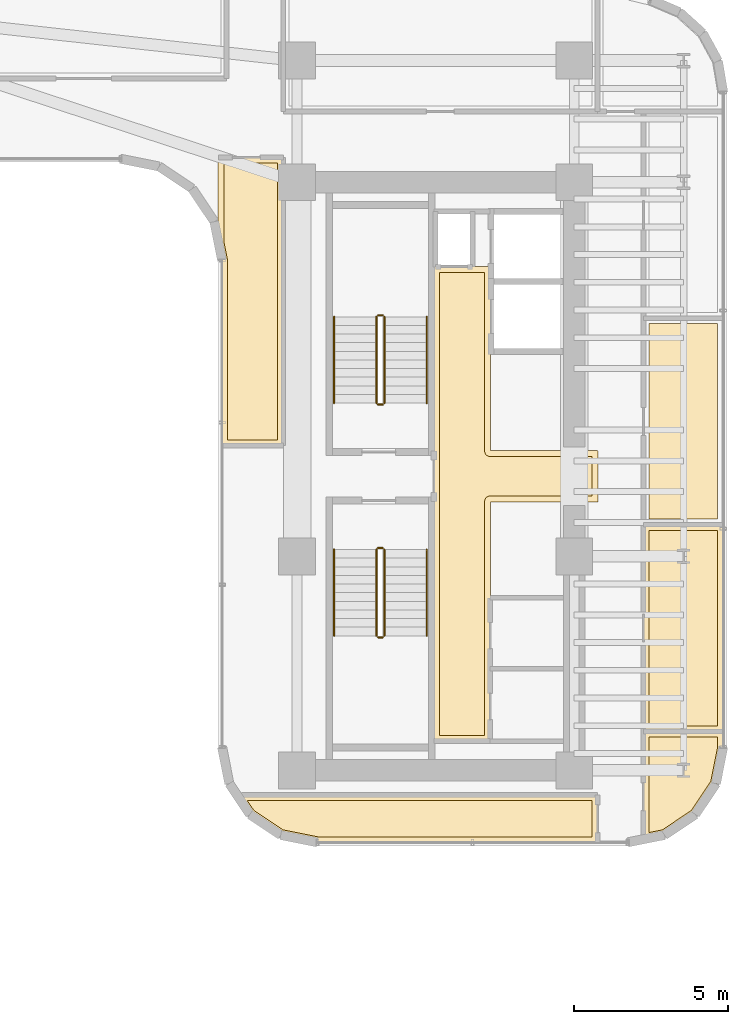
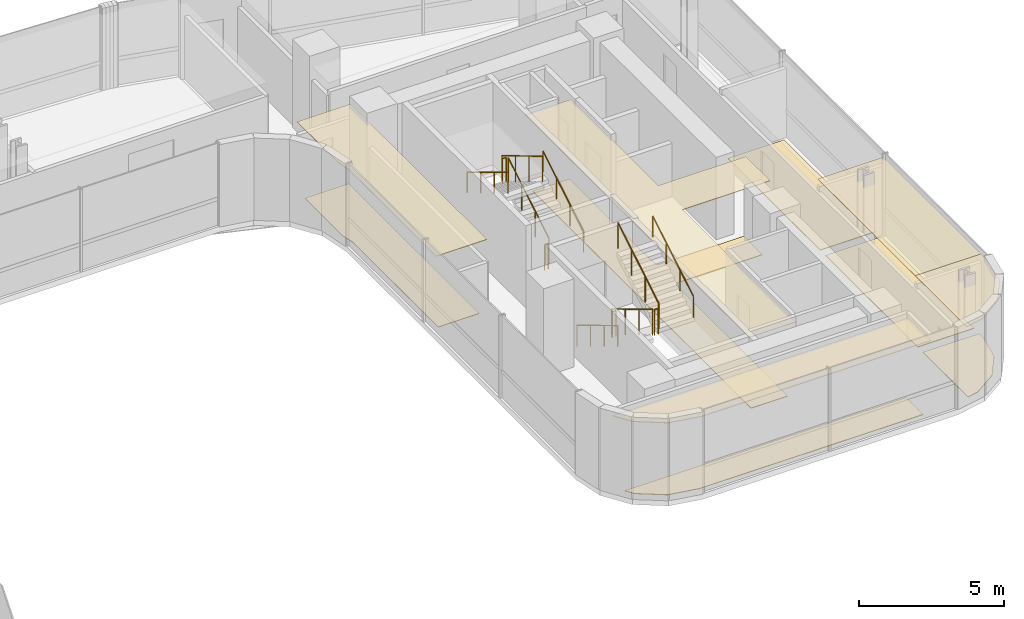
# One storey, part 33 of 35: 12 railings, 11 coverings.
"""IFC4 building model written with IfcOpenShell, lengths in metres."""

import ifcopenshell
import ifcopenshell.guid

model = None  # the IFC model being written
_history = None  # IfcOwnerHistory: only IFC2X3 demands one
_inside = {}  # id of a spatial element -> (the spatial element, [elements in it])
_under = {}  # id of a project, library or spatial element -> (it, [spatial elements below it])
_declared = {}  # id of a project -> (the project, [libraries it declares])
_typed = {}  # id of a type object -> (the type object, [elements of that type])
_made_of = {}  # id of a material, layer set ... -> (it, [elements and type objects made of it])


def new_model(schema):
    """Start an empty IFC model of exactly this schema.

    Asked for "IFC4X3", IfcOpenShell would pick the latest addendum, in which some entities
    have other attributes; the version numbers below select the first issue.
    IFC2X3 requires an IfcOwnerHistory on every rooted entity: one is made here for all.
    """
    global model, _history
    if schema == "IFC4X3":
        model = ifcopenshell.file(schema_version=(4, 3, 0, 0))
    else:
        model = ifcopenshell.file(schema=schema)
    _inside.clear()
    _under.clear()
    _declared.clear()
    _typed.clear()
    _made_of.clear()
    _history = None
    if model.schema == "IFC2X3":
        org = make("IfcOrganization", Name="unknown")
        user = make(
            "IfcPersonAndOrganization",
            ThePerson=make("IfcPerson", FamilyName="unknown"),
            TheOrganization=org,
        )
        app = make(
            "IfcApplication",
            ApplicationDeveloper=org,
            Version="unknown",
            ApplicationFullName="unknown",
            ApplicationIdentifier="unknown",
        )
        _history = make(
            "IfcOwnerHistory",
            OwningUser=user,
            OwningApplication=app,
            ChangeAction="ADDED",
            CreationDate=0,
        )
    return model


def make(cls, **values):
    """One entity of the class cls with the attributes given. An attribute that is None is left unset."""
    return model.create_entity(
        cls, **{name: value for name, value in values.items() if value is not None}
    )


def rooted(cls, **values):
    """An entity with a GlobalId (a new one), such as an element, a storey or a relation."""
    return make(cls, GlobalId=ifcopenshell.guid.new(), OwnerHistory=_history, **values)


def si_unit(unit_type, name, prefix=None):
    """IfcSIUnit, for example si_unit("LENGTHUNIT", "METRE", prefix="MILLI")."""
    return make("IfcSIUnit", UnitType=unit_type, Prefix=prefix, Name=name)


def assignment(units):
    """IfcUnitAssignment: the units of a project."""
    return None if units is None else make("IfcUnitAssignment", Units=units)


def point(xyz):
    """IfcCartesianPoint."""
    return None if xyz is None else make("IfcCartesianPoint", Coordinates=xyz)


def direction(xyz):
    """IfcDirection."""
    return None if xyz is None else make("IfcDirection", DirectionRatios=xyz)


def frame(location, z_axis=None, x_axis=None):
    """IfcAxis2Placement3D, a coordinate frame: its origin and axes. An axis left out is left unset."""
    return make(
        "IfcAxis2Placement3D",
        Location=point(location),
        Axis=direction(z_axis),
        RefDirection=direction(x_axis),
    )


def frame_2d(location, x_axis=None):
    """IfcAxis2Placement2D, a coordinate frame in the plane: its origin and x axis."""
    return make(
        "IfcAxis2Placement2D", Location=point(location), RefDirection=direction(x_axis)
    )


def origin():
    """The frame at (0, 0, 0) with its axes left unset."""
    return frame((0.0, 0.0, 0.0))


def origin_2d():
    """The frame at (0, 0) in the plane with its x axis left unset."""
    return frame_2d((0.0, 0.0))


def place(relative_to, where):
    """IfcLocalPlacement: puts the frame where relative to a parent placement (None: the world)."""
    return make(
        "IfcLocalPlacement", PlacementRelTo=relative_to, RelativePlacement=where
    )


def context(
    kind, dimensions, precision=None, world=None, true_north=None, identifier=None
):
    """IfcGeometricRepresentationContext, for example the 3D "Model" context."""
    return make(
        "IfcGeometricRepresentationContext",
        ContextIdentifier=identifier,
        ContextType=kind,
        CoordinateSpaceDimension=dimensions,
        Precision=precision,
        WorldCoordinateSystem=world,
        TrueNorth=true_north,
    )


def subcontext(parent, identifier, kind, view, scale=None):
    """IfcGeometricRepresentationSubContext, for example "Body" below "Model"."""
    return make(
        "IfcGeometricRepresentationSubContext",
        ContextIdentifier=identifier,
        ContextType=kind,
        ParentContext=parent,
        TargetScale=scale,
        TargetView=view,
    )


def project(units=None, contexts=None):
    """IfcProject with its units and contexts."""
    return rooted(
        "IfcProject",
        Name="project",
        RepresentationContexts=contexts,
        UnitsInContext=assignment(units),
    )


def spatial(cls, under=None, at=None, **own):
    """A site, building, storey or space (cls), placed at a placement, below another one or the project."""
    s = rooted(cls, ObjectPlacement=at, **own)
    if under is not None:
        _under.setdefault(under.id(), (under, []))[1].append(s)
    return s


def polyline(points):
    """IfcPolyline through the points."""
    return make("IfcPolyline", Points=[point(p) for p in points])


def profile(cls, at=None, kind="AREA", **sizes):
    """A parametric profile (cls). Its sizes go by their IFC names, for example OverallWidth=200.0."""
    return make(cls, ProfileType=kind, Position=at, **sizes)


def circle(**sizes):
    """IfcCircleProfileDef."""
    return profile("IfcCircleProfileDef", **sizes)


def outline(outer, holes=None, kind="AREA"):
    """IfcArbitraryClosedProfileDef: a profile drawn as a closed curve; with holes, ...WithVoids."""
    if holes is None:
        return make("IfcArbitraryClosedProfileDef", ProfileType=kind, OuterCurve=outer)
    return make(
        "IfcArbitraryProfileDefWithVoids",
        ProfileType=kind,
        OuterCurve=outer,
        InnerCurves=holes,
    )


def extrude(swept, where, along, depth):
    """IfcExtrudedAreaSolid: the profile swept, set in the frame where, extruded along a direction by depth."""
    return make(
        "IfcExtrudedAreaSolid",
        SweptArea=swept,
        Position=where,
        ExtrudedDirection=direction(along),
        Depth=depth,
    )


def shape(context_of_items, identifier, shape_type, items):
    """IfcShapeRepresentation: the items that make up one representation, for example the "Body"."""
    return make(
        "IfcShapeRepresentation",
        ContextOfItems=context_of_items,
        RepresentationIdentifier=identifier,
        RepresentationType=shape_type,
        Items=items,
    )


def material(Name=None, Category=None):
    """IfcMaterial."""
    return make("IfcMaterial", Name=Name, Category=Category)


def layer(
    of_material, thickness, ventilated=None, Name=None, Category=None, Priority=None
):
    """IfcMaterialLayer: one layer of a wall or slab, of a material (None: an air gap)."""
    return make(
        "IfcMaterialLayer",
        Material=of_material,
        LayerThickness=thickness,
        IsVentilated=ventilated,
        Name=Name,
        Category=Category,
        Priority=Priority,
    )


def layer_set(layers, Name=None):
    """IfcMaterialLayerSet."""
    return make("IfcMaterialLayerSet", MaterialLayers=layers, LayerSetName=Name)


def made_of(thing, what):
    """Note that an element or type object is made of a material, layer set ...; save() writes the relation."""
    if what is not None:
        _made_of.setdefault(what.id(), (what, []))[1].append(thing)
    return thing


def type_object(cls, material=None, **own):
    """A type object (cls), such as IfcWallType, which elements share."""
    return made_of(rooted(cls, **own), material)


def element(
    cls,
    number,
    at=None,
    inside=None,
    cuts=None,
    type_object=None,
    material=None,
    context=None,
    identifier="Body",
    shape_type=None,
    held_by="IfcProductDefinitionShape",
    body=None,
    shapes=None,
    **own,
):
    """One element of the class cls, such as IfcWall. Its Tag is "e" and its number.

    at: its placement. inside: the storey or other place that contains it. cuts: it is an
    opening in that element (IfcRelVoidsElement). A single representation is given by context,
    identifier, shape_type and body (its items); several are given by shapes. held_by: the class
    of the entity that holds the representations. save() writes the other relations.
    """
    e = rooted(cls, Tag="e%d" % number, ObjectPlacement=at, **own)
    if body is not None:
        shapes = [shape(context, identifier, shape_type, body)]
    if shapes is not None:
        e.Representation = make(held_by, Representations=shapes)
    if inside is not None:
        _inside.setdefault(inside.id(), (inside, []))[1].append(e)
    if cuts is not None:
        rooted(
            "IfcRelVoidsElement", RelatingBuildingElement=cuts, RelatedOpeningElement=e
        )
    if type_object is not None:
        _typed.setdefault(type_object.id(), (type_object, []))[1].append(e)
    return made_of(e, material)


def aggregate(whole, parts):
    """IfcRelAggregates: a whole, such as a stair, and the parts it consists of."""
    return rooted("IfcRelAggregates", RelatingObject=whole, RelatedObjects=parts)


def save(model, path):
    """Write the relations noted so far, then the file.

    IfcRelAggregates (storeys below a building ...), IfcRelContainedInSpatialStructure (elements
    in a storey), IfcRelDefinesByType, IfcRelAssociatesMaterial and IfcRelDeclares: one each for
    every whole, place, type object, material and project.
    """
    for whole, parts in _under.values():
        aggregate(whole, parts)
    for where, things in _inside.values():
        rooted(
            "IfcRelContainedInSpatialStructure",
            RelatedElements=things,
            RelatingStructure=where,
        )
    for kind, things in _typed.values():
        rooted("IfcRelDefinesByType", RelatedObjects=things, RelatingType=kind)
    for what, things in _made_of.values():
        rooted("IfcRelAssociatesMaterial", RelatedObjects=things, RelatingMaterial=what)
    for by, libraries in _declared.values():
        rooted("IfcRelDeclares", RelatingContext=by, RelatedDefinitions=libraries)
    model.write(path)


model = new_model("IFC4")

# Units and contexts
model_context = context("Model", 3, precision=1e-05, world=origin(), true_north=direction((0.0, 1.0)))
body_context = subcontext(model_context, "Body", "Model", "MODEL_VIEW")
ifc_project = project(units=[si_unit("LENGTHUNIT", "METRE"), si_unit("AREAUNIT", "SQUARE_METRE"), si_unit("VOLUMEUNIT", "CUBIC_METRE"), si_unit("PLANEANGLEUNIT", "RADIAN"), si_unit("MASSUNIT", "GRAM", prefix="KILO")], contexts=[model_context])

# Site, building, storey
site_placement = place(None, origin())
site = spatial("IfcSite", under=ifc_project, at=site_placement, CompositionType="ELEMENT")
building_placement = place(site_placement, origin())
building = spatial("IfcBuilding", under=site, at=building_placement, Name="Valdorenza Pilgrim Sanctuary Tower", CompositionType="ELEMENT")
storey_placement = place(building_placement, frame((0.0, 0.0, 139.0)))
storey = spatial("IfcBuildingStorey", under=building, at=storey_placement, Name="L35", CompositionType="ELEMENT", Elevation=139.0)

# Coverings
ifc_material_1 = material(Name="Micro-perforated acoustic mineral ceiling tile", Category="gypsum")
ifc_layer_1 = layer(ifc_material_1, 0.02490234375, Name="Micro-perforated acoustic mineral ceiling tile")
ifc_layer_set_1 = layer_set([ifc_layer_1], Name="Micro-perforated acoustic mineral ceiling tile")
covering_type_1 = type_object("IfcCoveringType", Name="COV-CLG-ACU", PredefinedType="CEILING", material=ifc_layer_set_1)
covering_1_placement = place(storey_placement, frame((0.0, 0.0, 3.159912109375)))
element("IfcCovering", 1, at=covering_1_placement, inside=storey, type_object=covering_type_1, Name="L35 Core B Passenger Lift Lobby Acoustic Ceiling", PredefinedType="CEILING", context=body_context, shape_type="SweptSolid", body=[
    extrude(outline(polyline([(20.287109375, -0.814697265625), (20.287109375, 0.814697265625), (20.28662109375, 0.815185546875), (20.2861328125, 0.81640625), (20.28564453125, 0.81787109375), (20.285400390625, 0.819091796875), (20.28515625, 0.820556640625), (20.284912109375, 0.822021484375), (20.284912109375, 6.800048828125), (20.28515625, 6.801513671875), (20.285400390625, 6.802978515625), (20.28564453125, 6.804443359375), (20.2861328125, 6.8056640625), (20.286865234375, 6.80712890625), (20.28759765625, 6.808349609375), (20.288330078125, 6.8095703125), (20.289306640625, 6.810546875), (20.29052734375, 6.8115234375), (20.291748046875, 6.8125), (20.29296875, 6.813232421875), (20.294189453125, 6.81396484375), (20.295654296875, 6.814453125), (20.297119140625, 6.814697265625), (20.298583984375, 6.81494140625), (20.300048828125, 6.81494140625), (20.347900390625, 6.81494140625), (20.349365234375, 6.81494140625), (20.350830078125, 6.814697265625), (20.352294921875, 6.814453125), (20.353515625, 6.81396484375), (20.35498046875, 6.813232421875), (20.35546875, 6.81298828125), (21.544677734375, 6.81298828125), (21.545166015625, 6.813232421875), (21.54638671875, 6.81396484375), (21.5478515625, 6.814453125), (21.54931640625, 6.814697265625), (21.550537109375, 6.81494140625), (21.552001953125, 6.81494140625), (22.1201171875, 6.81494140625), (22.12158203125, 6.81494140625), (22.122802734375, 6.814697265625), (22.12451171875, 6.814453125), (22.125732421875, 6.81396484375), (22.127197265625, 6.813232421875), (22.12841796875, 6.8125), (22.12939453125, 6.8115234375), (22.130615234375, 6.810546875), (22.131591796875, 6.8095703125), (22.132568359375, 6.808349609375), (22.13330078125, 6.80712890625), (22.1337890625, 6.8056640625), (22.134521484375, 6.804443359375), (22.134765625, 6.802978515625), (22.135009765625, 6.801513671875), (22.135009765625, 6.800048828125), (22.135009765625, 0.8349609375), (25.60009765625, 0.8349609375), (25.6015625, 0.8349609375), (25.602783203125, 0.834716796875), (25.6044921875, 0.83447265625), (25.605712890625, 0.833984375), (25.607177734375, 0.833251953125), (25.6083984375, 0.83251953125), (25.609619140625, 0.83154296875), (25.610595703125, 0.83056640625), (25.611572265625, 0.82958984375), (25.612548828125, 0.828369140625), (25.61328125, 0.8271484375), (25.614013671875, 0.82568359375), (25.614501953125, 0.824462890625), (25.61474609375, 0.822998046875), (25.614990234375, 0.821533203125), (25.614990234375, 0.820068359375), (25.614990234375, -0.820068359375), (25.614990234375, -0.821533203125), (25.61474609375, -0.822998046875), (25.614501953125, -0.824462890625), (25.614013671875, -0.82568359375), (25.61328125, -0.8271484375), (25.612548828125, -0.828369140625), (25.611572265625, -0.82958984375), (25.610595703125, -0.83056640625), (25.609619140625, -0.83154296875), (25.6083984375, -0.83251953125), (25.607177734375, -0.833251953125), (25.605712890625, -0.833984375), (25.6044921875, -0.83447265625), (25.602783203125, -0.834716796875), (25.6015625, -0.8349609375), (25.60009765625, -0.8349609375), (22.135009765625, -0.8349609375), (22.135009765625, -8.60009765625), (22.135009765625, -8.6015625), (22.134765625, -8.602783203125), (22.134521484375, -8.6044921875), (22.1337890625, -8.605712890625), (22.13330078125, -8.607177734375), (22.132568359375, -8.6083984375), (22.131591796875, -8.609619140625), (22.130615234375, -8.610595703125), (22.12939453125, -8.611572265625), (22.12841796875, -8.612548828125), (22.127197265625, -8.61328125), (22.125732421875, -8.614013671875), (22.12451171875, -8.614501953125), (22.122802734375, -8.61474609375), (22.12158203125, -8.614990234375), (22.1201171875, -8.614990234375), (20.300048828125, -8.614990234375), (20.298583984375, -8.614990234375), (20.297119140625, -8.61474609375), (20.295654296875, -8.614501953125), (20.294189453125, -8.614013671875), (20.29296875, -8.61328125), (20.291748046875, -8.612548828125), (20.29052734375, -8.611572265625), (20.289306640625, -8.610595703125), (20.288330078125, -8.609619140625), (20.28759765625, -8.6083984375), (20.286865234375, -8.607177734375), (20.2861328125, -8.605712890625), (20.28564453125, -8.6044921875), (20.285400390625, -8.602783203125), (20.28515625, -8.6015625), (20.284912109375, -8.60009765625), (20.284912109375, -0.822021484375), (20.28515625, -0.820556640625), (20.285400390625, -0.819091796875), (20.28564453125, -0.81787109375), (20.2861328125, -0.81640625), (20.28662109375, -0.815185546875), (20.287109375, -0.814697265625)])), origin(), (0.0, 0.0, 1.0), 0.025146484375),
])
covering_2_placement = place(storey_placement, frame((0.0, 0.0, 3.159912109375)))
element("IfcCovering", 2, at=covering_2_placement, inside=storey, type_object=covering_type_1, Name="L35 Sacred Manuscript Archive L35-BS Acoustic Ceiling", PredefinedType="CEILING", context=body_context, shape_type="SweptSolid", body=[
    extrude(outline(polyline([(25.614990234375, -11.889892578125), (25.614990234375, -11.8916015625), (25.61474609375, -11.892822265625), (25.614501953125, -11.894287109375), (25.614013671875, -11.895751953125), (25.61328125, -11.897216796875), (25.612548828125, -11.898193359375), (25.611572265625, -11.8994140625), (25.610595703125, -11.900634765625), (25.609619140625, -11.901611328125), (25.6083984375, -11.902587890625), (25.607177734375, -11.9033203125), (25.605712890625, -11.90380859375), (25.6044921875, -11.904296875), (25.602783203125, -11.90478515625), (25.6015625, -11.90478515625), (25.60009765625, -11.905029296875), (16.5107421875, -11.905029296875), (16.509521484375, -11.90478515625), (16.5078125, -11.90478515625), (15.3154296875, -11.66748046875), (15.31396484375, -11.6669921875), (15.3125, -11.66650390625), (15.311279296875, -11.666015625), (15.31005859375, -11.665283203125), (14.308349609375, -10.995849609375), (14.30712890625, -10.9951171875), (14.305908203125, -10.993896484375), (14.304931640625, -10.992919921875), (14.30419921875, -10.99169921875), (13.880859375, -10.3583984375), (13.880126953125, -10.357177734375), (13.87939453125, -10.355712890625), (13.87890625, -10.3544921875), (13.878662109375, -10.352783203125), (13.87841796875, -10.3515625), (13.87841796875, -10.35009765625), (13.87841796875, -10.348388671875), (13.878662109375, -10.34716796875), (13.87890625, -10.345703125), (13.87939453125, -10.34423828125), (13.880126953125, -10.343017578125), (13.880859375, -10.341796875), (13.881591796875, -10.340576171875), (13.8828125, -10.33935546875), (13.8837890625, -10.33837890625), (13.885009765625, -10.33740234375), (13.88623046875, -10.3369140625), (13.8876953125, -10.336181640625), (13.888916015625, -10.335693359375), (13.890380859375, -10.335205078125), (13.891845703125, -10.335205078125), (13.893310546875, -10.3349609375), (25.60009765625, -10.3349609375), (25.6015625, -10.335205078125), (25.602783203125, -10.335205078125), (25.6044921875, -10.335693359375), (25.605712890625, -10.336181640625), (25.607177734375, -10.3369140625), (25.6083984375, -10.33740234375), (25.609619140625, -10.33837890625), (25.610595703125, -10.33935546875), (25.611572265625, -10.340576171875), (25.612548828125, -10.341796875), (25.61328125, -10.343017578125), (25.614013671875, -10.34423828125), (25.614501953125, -10.345703125), (25.61474609375, -10.34716796875), (25.614990234375, -10.348388671875), (25.614990234375, -10.35009765625), (25.614990234375, -11.889892578125)])), origin(), (0.0, 0.0, 1.0), 0.025146484375),
])
covering_3_placement = place(storey_placement, frame((0.0, 0.0, 3.159912109375)))
element("IfcCovering", 3, at=covering_3_placement, inside=storey, type_object=covering_type_1, Name="L35 East Sanctuary Scholar Office L35-EG1 Acoustic Ceiling", PredefinedType="CEILING", context=body_context, shape_type="SweptSolid", body=[
    extrude(outline(polyline([(29.467529296875, -9.984619140625), (29.467041015625, -9.986083984375), (29.466552734375, -9.9873046875), (29.466064453125, -9.98876953125), (29.46533203125, -9.989990234375), (28.7958984375, -10.99169921875), (28.794921875, -10.992919921875), (28.7939453125, -10.993896484375), (28.79296875, -10.9951171875), (28.791748046875, -10.995849609375), (27.7900390625, -11.665283203125), (27.788818359375, -11.666015625), (27.787353515625, -11.66650390625), (27.785888671875, -11.6669921875), (27.78466796875, -11.66748046875), (27.102783203125, -11.802978515625), (27.1015625, -11.80322265625), (27.10009765625, -11.803466796875), (27.098388671875, -11.80322265625), (27.09716796875, -11.802978515625), (27.095703125, -11.802734375), (27.09423828125, -11.80224609375), (27.093017578125, -11.801513671875), (27.091796875, -11.80078125), (27.090576171875, -11.800048828125), (27.08935546875, -11.799072265625), (27.08837890625, -11.7978515625), (27.08740234375, -11.796630859375), (27.0869140625, -11.79541015625), (27.086181640625, -11.794189453125), (27.085693359375, -11.792724609375), (27.085205078125, -11.791259765625), (27.085205078125, -11.789794921875), (27.0849609375, -11.788330078125), (27.0849609375, -8.287109375), (27.085205078125, -8.285400390625), (27.085205078125, -8.2841796875), (27.085693359375, -8.28271484375), (27.086181640625, -8.28125), (27.0869140625, -8.27978515625), (27.08740234375, -8.27880859375), (27.08837890625, -8.277587890625), (27.08935546875, -8.2763671875), (27.090576171875, -8.275390625), (27.091796875, -8.2744140625), (27.093017578125, -8.273681640625), (27.09423828125, -8.273193359375), (27.095703125, -8.272705078125), (27.09716796875, -8.272216796875), (27.098388671875, -8.272216796875), (27.10009765625, -8.27197265625), (29.68994140625, -8.27197265625), (29.69140625, -8.272216796875), (29.69287109375, -8.272216796875), (29.6943359375, -8.272705078125), (29.69580078125, -8.273193359375), (29.697021484375, -8.273681640625), (29.6982421875, -8.2744140625), (29.699462890625, -8.275390625), (29.70068359375, -8.2763671875), (29.70166015625, -8.277587890625), (29.702392578125, -8.27880859375), (29.703125, -8.27978515625), (29.703857421875, -8.28125), (29.704345703125, -8.28271484375), (29.70458984375, -8.2841796875), (29.704833984375, -8.285400390625), (29.705078125, -8.287109375), (29.705078125, -8.789306640625), (29.704833984375, -8.79052734375), (29.70458984375, -8.7919921875), (29.467529296875, -9.984619140625)])), origin(), (0.0, 0.0, 1.0), 0.025146484375),
])
covering_4_placement = place(storey_placement, frame((0.0, 0.0, 3.159912109375)))
element("IfcCovering", 4, at=covering_4_placement, inside=storey, type_object=covering_type_1, Name="L35 East Sanctuary Scholar Office L35-EG2 Acoustic Ceiling", PredefinedType="CEILING", context=body_context, shape_type="SweptSolid", body=[
    extrude(outline(polyline([(27.0849609375, -1.574951171875), (27.085205078125, -1.573486328125), (27.085205078125, -1.572021484375), (27.085693359375, -1.570556640625), (27.086181640625, -1.5693359375), (27.0869140625, -1.56787109375), (27.08740234375, -1.566650390625), (27.08837890625, -1.5654296875), (27.08935546875, -1.564453125), (27.090576171875, -1.5634765625), (27.091796875, -1.5625), (27.093017578125, -1.561767578125), (27.09423828125, -1.56103515625), (27.095703125, -1.560546875), (27.09716796875, -1.560302734375), (27.098388671875, -1.56005859375), (27.10009765625, -1.56005859375), (29.68994140625, -1.56005859375), (29.69140625, -1.56005859375), (29.69287109375, -1.560302734375), (29.6943359375, -1.560546875), (29.69580078125, -1.56103515625), (29.697021484375, -1.561767578125), (29.6982421875, -1.5625), (29.699462890625, -1.5634765625), (29.70068359375, -1.564453125), (29.70166015625, -1.5654296875), (29.702392578125, -1.566650390625), (29.703125, -1.56787109375), (29.703857421875, -1.5693359375), (29.704345703125, -1.570556640625), (29.70458984375, -1.572021484375), (29.704833984375, -1.573486328125), (29.705078125, -1.574951171875), (29.705078125, -8.284912109375), (29.704833984375, -8.28662109375), (29.70458984375, -8.287841796875), (29.704345703125, -8.289306640625), (29.703857421875, -8.290771484375), (29.703125, -8.2919921875), (29.702392578125, -8.293212890625), (29.70166015625, -8.29443359375), (29.70068359375, -8.295654296875), (29.699462890625, -8.296630859375), (29.6982421875, -8.297607421875), (29.697021484375, -8.298095703125), (29.69580078125, -8.298828125), (29.6943359375, -8.29931640625), (29.69287109375, -8.2998046875), (29.69140625, -8.2998046875), (29.68994140625, -8.300048828125), (27.10009765625, -8.300048828125), (27.098388671875, -8.2998046875), (27.09716796875, -8.2998046875), (27.095703125, -8.29931640625), (27.09423828125, -8.298828125), (27.093017578125, -8.298095703125), (27.091796875, -8.297607421875), (27.090576171875, -8.296630859375), (27.08935546875, -8.295654296875), (27.08837890625, -8.29443359375), (27.08740234375, -8.293212890625), (27.0869140625, -8.2919921875), (27.086181640625, -8.290771484375), (27.085693359375, -8.289306640625), (27.085205078125, -8.287841796875), (27.085205078125, -8.28662109375), (27.0849609375, -8.284912109375), (27.0849609375, -1.574951171875)])), origin(), (0.0, 0.0, 1.0), 0.025146484375),
])
covering_5_placement = place(storey_placement, frame((0.0, 0.0, 3.159912109375)))
element("IfcCovering", 5, at=covering_5_placement, inside=storey, type_object=covering_type_1, Name="L35 Courtyard Overlook Salon L35 Acoustic Ceiling", PredefinedType="CEILING", context=body_context, shape_type="SweptSolid", body=[
    extrude(outline(polyline([(15.39990234375, 10.364990234375), (15.401611328125, 10.364990234375), (15.40283203125, 10.36474609375), (15.404296875, 10.364501953125), (15.40576171875, 10.364013671875), (15.406982421875, 10.36328125), (15.408203125, 10.362548828125), (15.409423828125, 10.361572265625), (15.41064453125, 10.360595703125), (15.41162109375, 10.359619140625), (15.41259765625, 10.3583984375), (15.4130859375, 10.357177734375), (15.413818359375, 10.355712890625), (15.414306640625, 10.3544921875), (15.414794921875, 10.352783203125), (15.414794921875, 10.3515625), (15.4150390625, 10.35009765625), (15.4150390625, 1.0), (15.414794921875, 0.99853515625), (15.414794921875, 0.9970703125), (15.414306640625, 0.99560546875), (15.413818359375, 0.994384765625), (15.4130859375, 0.992919921875), (15.41259765625, 0.99169921875), (15.41162109375, 0.990478515625), (15.41064453125, 0.989501953125), (15.409423828125, 0.98828125), (15.408203125, 0.987548828125), (15.406982421875, 0.98681640625), (15.40576171875, 0.986083984375), (15.404296875, 0.985595703125), (15.40283203125, 0.9853515625), (15.401611328125, 0.985107421875), (15.39990234375, 0.985107421875), (13.409912109375, 0.985107421875), (13.408447265625, 0.985107421875), (13.406982421875, 0.9853515625), (13.405517578125, 0.985595703125), (13.404296875, 0.986083984375), (13.40283203125, 0.98681640625), (13.401611328125, 0.987548828125), (13.400390625, 0.98828125), (13.3994140625, 0.989501953125), (13.3984375, 0.990478515625), (13.3974609375, 0.99169921875), (13.396728515625, 0.992919921875), (13.39599609375, 0.994384765625), (13.3955078125, 0.99560546875), (13.395263671875, 0.9970703125), (13.39501953125, 0.99853515625), (13.39501953125, 1.0), (13.39501953125, 6.99951171875), (13.39453125, 7.00927734375), (13.39306640625, 7.018798828125), (13.285400390625, 7.560791015625), (13.28515625, 7.562255859375), (13.284912109375, 7.563720703125), (13.284912109375, 10.35009765625), (13.28515625, 10.3515625), (13.285400390625, 10.352783203125), (13.28564453125, 10.3544921875), (13.2861328125, 10.355712890625), (13.286865234375, 10.357177734375), (13.28759765625, 10.3583984375), (13.288330078125, 10.359619140625), (13.289306640625, 10.360595703125), (13.29052734375, 10.361572265625), (13.291748046875, 10.362548828125), (13.29296875, 10.36328125), (13.294189453125, 10.364013671875), (13.295654296875, 10.364501953125), (13.297119140625, 10.36474609375), (13.298583984375, 10.364990234375), (13.300048828125, 10.364990234375), (15.39990234375, 10.364990234375)])), origin(), (0.0, 0.0, 1.0), 0.025146484375),
])
ifc_material_2 = material(Name="Honed travertine stone flooring", Category="masonry")
ifc_layer_2 = layer(ifc_material_2, 0.030029296875, Name="Honed travertine stone flooring")
ifc_layer_set_2 = layer_set([ifc_layer_2], Name="Honed travertine stone flooring")
covering_type_2 = type_object("IfcCoveringType", Name="COV-FLR-TRV", PredefinedType="FLOORING", material=ifc_layer_set_2)
covering_6_placement = place(storey_placement, origin())
element("IfcCovering", 6, at=covering_6_placement, inside=storey, type_object=covering_type_2, Name="L35 Core B Passenger Lift Lobby Flooring", PredefinedType="FLOORING", context=body_context, shape_type="SweptSolid", body=[
    extrude(outline(polyline([(20.47998046875, 6.617919921875), (21.550048828125, 6.617919921875), (21.550537109375, 6.617919921875), (21.93994140625, 6.619384765625), (21.93994140625, 0.820068359375), (21.94091796875, 0.802490234375), (21.943603515625, 0.784912109375), (21.94775390625, 0.767578125), (21.95361328125, 0.751220703125), (21.961181640625, 0.735107421875), (21.97021484375, 0.719970703125), (21.98095703125, 0.705810546875), (21.99267578125, 0.692626953125), (22.005859375, 0.680908203125), (22.02001953125, 0.67041015625), (22.03515625, 0.661376953125), (22.051025390625, 0.65380859375), (22.067626953125, 0.647705078125), (22.0849609375, 0.6435546875), (22.102294921875, 0.640869140625), (22.1201171875, 0.639892578125), (25.419921875, 0.639892578125), (25.419921875, -0.639892578125), (22.1201171875, -0.639892578125), (22.102294921875, -0.640869140625), (22.0849609375, -0.6435546875), (22.067626953125, -0.647705078125), (22.051025390625, -0.65380859375), (22.03515625, -0.661376953125), (22.02001953125, -0.67041015625), (22.005859375, -0.680908203125), (21.99267578125, -0.692626953125), (21.98095703125, -0.705810546875), (21.97021484375, -0.719970703125), (21.961181640625, -0.735107421875), (21.95361328125, -0.751220703125), (21.94775390625, -0.767578125), (21.943603515625, -0.784912109375), (21.94091796875, -0.802490234375), (21.93994140625, -0.820068359375), (21.93994140625, -8.419921875), (20.47998046875, -8.419921875), (20.47998046875, -0.846923828125), (20.47998046875, -0.8466796875), (20.47998046875, -0.8466796875), (20.481689453125, -0.8291015625), (20.481689453125, -0.828857421875), (20.48193359375, -0.820068359375), (20.48193359375, 0.820068359375), (20.47998046875, 6.617919921875)])), origin(), (0.0, 0.0, 1.0), 0.02490234375),
])
covering_7_placement = place(storey_placement, origin())
element("IfcCovering", 7, at=covering_7_placement, inside=storey, type_object=covering_type_2, Name="L35 Sacred Manuscript Archive L35-BS Flooring", PredefinedType="FLOORING", context=body_context, shape_type="SweptSolid", body=[
    extrude(outline(polyline([(25.419921875, -11.7099609375), (16.528564453125, -11.7099609375), (15.388671875, -11.483154296875), (14.4462890625, -10.853515625), (14.22998046875, -10.530029296875), (25.419921875, -10.530029296875), (25.419921875, -11.7099609375)])), origin(), (0.0, 0.0, 1.0), 0.02490234375),
])
covering_8_placement = place(storey_placement, origin())
element("IfcCovering", 8, at=covering_8_placement, inside=storey, type_object=covering_type_2, Name="L35 East Sanctuary Scholar Office L35-EG1 Flooring", PredefinedType="FLOORING", context=body_context, shape_type="SweptSolid", body=[
    extrude(outline(polyline([(29.283203125, -9.911376953125), (28.653564453125, -10.853515625), (27.71142578125, -11.483154296875), (27.280029296875, -11.569091796875), (27.280029296875, -8.467041015625), (29.510009765625, -8.467041015625), (29.510009765625, -8.771484375), (29.283203125, -9.911376953125)])), origin(), (0.0, 0.0, 1.0), 0.02490234375),
])
covering_9_placement = place(storey_placement, origin())
element("IfcCovering", 9, at=covering_9_placement, inside=storey, type_object=covering_type_2, Name="L35 East Sanctuary Scholar Office L35-EG2 Flooring", PredefinedType="FLOORING", context=body_context, shape_type="SweptSolid", body=[
    extrude(outline(polyline([(27.280029296875, -1.7548828125), (29.510009765625, -1.7548828125), (29.510009765625, -8.10498046875), (27.280029296875, -8.10498046875), (27.280029296875, -1.7548828125)])), origin(), (0.0, 0.0, 1.0), 0.02490234375),
])
covering_10_placement = place(storey_placement, origin())
element("IfcCovering", 10, at=covering_10_placement, inside=storey, type_object=covering_type_2, Name="L35 East Sanctuary Scholar Office L35-EG3 Flooring", PredefinedType="FLOORING", context=body_context, shape_type="SweptSolid", body=[
    extrude(outline(polyline([(27.280029296875, 4.9580078125), (29.510009765625, 4.9580078125), (29.510009765625, -1.39306640625), (27.280029296875, -1.39306640625), (27.280029296875, 4.9580078125)])), origin(), (0.0, 0.0, 1.0), 0.02490234375),
])
covering_11_placement = place(storey_placement, origin())
element("IfcCovering", 11, at=covering_11_placement, inside=storey, type_object=covering_type_2, Name="L35 Courtyard Overlook Salon L35 Flooring", PredefinedType="FLOORING", context=body_context, shape_type="SweptSolid", body=[
    extrude(outline(polyline([(15.219970703125, 10.169921875), (15.219970703125, 1.179931640625), (13.590087890625, 1.179931640625), (13.590087890625, 7.0), (13.58984375, 7.0087890625), (13.58935546875, 7.01953125), (13.58740234375, 7.037109375), (13.5859375, 7.0478515625), (13.58447265625, 7.056640625), (13.47998046875, 7.58154296875), (13.47998046875, 10.169921875), (15.219970703125, 10.169921875)])), origin(), (0.0, 0.0, 1.0), 0.02490234375),
])

# Railings
ifc_material_3 = material(Name="Stainless steel Grade 316", Category="steel")
railing_type_1 = type_object("IfcRailingType", Name="RLG-GRD-1120", PredefinedType="GUARDRAIL", material=ifc_material_3)
railing_1_placement = place(storey_placement, frame((18.679931640625, 2.3798828125, 0.168212890625)))
element("IfcRailing", 12, at=railing_1_placement, inside=storey, type_object=railing_type_1, Name="L35 ST-B1 stair guard 1", PredefinedType="GUARDRAIL", context=body_context, shape_type="SweptSolid", body=[
    extrude(circle(Radius=0.02392578125, at=origin_2d()), frame((0.0, 0.0, 1.076171875), z_axis=(0.0, 0.857242210791, 0.514913383045), x_axis=(-1.0, 0.0, 0.0)), (0.0, 0.0, 1.0), 3.266357421875),
    extrude(circle(Radius=0.02099609375, at=origin_2d()), origin(), (0.0, 0.0, 1.0), 1.052001953125),
    extrude(circle(Radius=0.02099609375, at=origin_2d()), frame((0.0, 0.933349609375, 0.560546875)), (0.0, 0.0, 1.0), 1.052001953125),
    extrude(circle(Radius=0.02099609375, at=origin_2d()), frame((0.0, 1.86669921875, 1.121337890625)), (0.0, 0.0, 1.0), 1.052001953125),
    extrude(circle(Radius=0.02099609375, at=origin_2d()), frame((0.0, 2.800048828125, 1.681884765625)), (0.0, 0.0, 1.0), 1.052001953125),
])
railing_2_placement = place(storey_placement, frame((18.6298828125, 5.22998046875, 1.85009765625)))
element("IfcRailing", 13, at=railing_2_placement, inside=storey, type_object=railing_type_1, Name="L35 ST-B1 stair guard 2", PredefinedType="GUARDRAIL", context=body_context, shape_type="SweptSolid", body=[
    extrude(circle(Radius=0.02392578125, at=origin_2d()), frame((0.0, 0.0, 1.076171875), z_axis=(-1.0, 0.0, 0.0), x_axis=(0.0, -1.0, 0.0)), (0.0, 0.0, 1.0), 0.14990234375),
    extrude(circle(Radius=0.02099609375, at=origin_2d()), origin(), (0.0, 0.0, 1.0), 1.052001953125),
    extrude(circle(Radius=0.02099609375, at=origin_2d()), frame((-0.14990234375, 0.0, 0.0)), (0.0, 0.0, 1.0), 1.052001953125),
])
railing_3_placement = place(storey_placement, frame((18.429931640625, 5.179931640625, 2.01806640625)))
element("IfcRailing", 14, at=railing_3_placement, inside=storey, type_object=railing_type_1, Name="L35 ST-B1 stair guard 3", PredefinedType="GUARDRAIL", context=body_context, shape_type="SweptSolid", body=[
    extrude(circle(Radius=0.02392578125, at=origin_2d()), frame((0.0, 0.0, 1.076171875), z_axis=(0.0, -0.857242210791, 0.514913383045), x_axis=(1.0, 0.0, 0.0)), (0.0, 0.0, 1.0), 3.266357421875),
    extrude(circle(Radius=0.02099609375, at=origin_2d()), origin(), (0.0, 0.0, 1.0), 1.052001953125),
    extrude(circle(Radius=0.02099609375, at=origin_2d()), frame((0.0, -0.933349609375, 0.560546875)), (0.0, 0.0, 1.0), 1.052001953125),
    extrude(circle(Radius=0.02099609375, at=origin_2d()), frame((0.0, -1.86669921875, 1.121337890625)), (0.0, 0.0, 1.0), 1.052001953125),
    extrude(circle(Radius=0.02099609375, at=origin_2d()), frame((0.0, -2.800048828125, 1.681884765625)), (0.0, 0.0, 1.0), 1.052001953125),
])
railing_4_placement = place(storey_placement, frame((18.6298828125, 2.330078125, 0.0)))
element("IfcRailing", 15, at=railing_4_placement, inside=storey, type_object=railing_type_1, Name="L35 ST-B1 stair guard 4", PredefinedType="GUARDRAIL", context=body_context, shape_type="SweptSolid", body=[
    extrude(circle(Radius=0.02392578125, at=origin_2d()), frame((0.0, 0.0, 1.076171875), z_axis=(-1.0, 0.0, 0.0), x_axis=(0.0, -1.0, 0.0)), (0.0, 0.0, 1.0), 0.14990234375),
    extrude(circle(Radius=0.02099609375, at=origin_2d()), origin(), (0.0, 0.0, 1.0), 1.052001953125),
    extrude(circle(Radius=0.02099609375, at=origin_2d()), frame((-0.14990234375, 0.0, 0.0)), (0.0, 0.0, 1.0), 1.052001953125),
])
railing_5_placement = place(storey_placement, frame((18.429931640625, -2.3798828125, 0.168212890625)))
element("IfcRailing", 16, at=railing_5_placement, inside=storey, type_object=railing_type_1, Name="L35 ST-B2 stair guard 1", PredefinedType="GUARDRAIL", context=body_context, shape_type="SweptSolid", body=[
    extrude(circle(Radius=0.02392578125, at=origin_2d()), frame((0.0, 0.0, 1.076171875), z_axis=(0.0, -0.857242210791, 0.514913383045), x_axis=(1.0, 0.0, 0.0)), (0.0, 0.0, 1.0), 3.266357421875),
    extrude(circle(Radius=0.02099609375, at=origin_2d()), origin(), (0.0, 0.0, 1.0), 1.052001953125),
    extrude(circle(Radius=0.02099609375, at=origin_2d()), frame((0.0, -0.933349609375, 0.560546875)), (0.0, 0.0, 1.0), 1.052001953125),
    extrude(circle(Radius=0.02099609375, at=origin_2d()), frame((0.0, -1.86669921875, 1.121337890625)), (0.0, 0.0, 1.0), 1.052001953125),
    extrude(circle(Radius=0.02099609375, at=origin_2d()), frame((0.0, -2.800048828125, 1.681884765625)), (0.0, 0.0, 1.0), 1.052001953125),
])
railing_6_placement = place(storey_placement, frame((18.47998046875, -5.22998046875, 1.85009765625)))
element("IfcRailing", 17, at=railing_6_placement, inside=storey, type_object=railing_type_1, Name="L35 ST-B2 stair guard 2", PredefinedType="GUARDRAIL", context=body_context, shape_type="SweptSolid", body=[
    extrude(circle(Radius=0.02392578125, at=origin_2d()), frame((0.0, 0.0, 1.076171875), z_axis=(1.0, 0.0, 0.0), x_axis=(0.0, 1.0, 0.0)), (0.0, 0.0, 1.0), 0.14990234375),
    extrude(circle(Radius=0.02099609375, at=origin_2d()), origin(), (0.0, 0.0, 1.0), 1.052001953125),
    extrude(circle(Radius=0.02099609375, at=origin_2d()), frame((0.14990234375, 0.0, 0.0)), (0.0, 0.0, 1.0), 1.052001953125),
])
railing_7_placement = place(storey_placement, frame((18.679931640625, -5.179931640625, 2.01806640625)))
element("IfcRailing", 18, at=railing_7_placement, inside=storey, type_object=railing_type_1, Name="L35 ST-B2 stair guard 3", PredefinedType="GUARDRAIL", context=body_context, shape_type="SweptSolid", body=[
    extrude(circle(Radius=0.02392578125, at=origin_2d()), frame((0.0, 0.0, 1.076171875), z_axis=(0.0, 0.857242210791, 0.514913383045), x_axis=(-1.0, 0.0, 0.0)), (0.0, 0.0, 1.0), 3.266357421875),
    extrude(circle(Radius=0.02099609375, at=origin_2d()), origin(), (0.0, 0.0, 1.0), 1.052001953125),
    extrude(circle(Radius=0.02099609375, at=origin_2d()), frame((0.0, 0.933349609375, 0.560546875)), (0.0, 0.0, 1.0), 1.052001953125),
    extrude(circle(Radius=0.02099609375, at=origin_2d()), frame((0.0, 1.86669921875, 1.121337890625)), (0.0, 0.0, 1.0), 1.052001953125),
    extrude(circle(Radius=0.02099609375, at=origin_2d()), frame((0.0, 2.800048828125, 1.681884765625)), (0.0, 0.0, 1.0), 1.052001953125),
])
railing_8_placement = place(storey_placement, frame((18.47998046875, -2.330078125, 0.0)))
element("IfcRailing", 19, at=railing_8_placement, inside=storey, type_object=railing_type_1, Name="L35 ST-B2 stair guard 4", PredefinedType="GUARDRAIL", context=body_context, shape_type="SweptSolid", body=[
    extrude(circle(Radius=0.02392578125, at=origin_2d()), frame((0.0, 0.0, 1.076171875), z_axis=(1.0, 0.0, 0.0), x_axis=(0.0, 1.0, 0.0)), (0.0, 0.0, 1.0), 0.14990234375),
    extrude(circle(Radius=0.02099609375, at=origin_2d()), origin(), (0.0, 0.0, 1.0), 1.052001953125),
    extrude(circle(Radius=0.02099609375, at=origin_2d()), frame((0.14990234375, 0.0, 0.0)), (0.0, 0.0, 1.0), 1.052001953125),
])
ifc_material_4 = material(Name="Brushed stainless steel Grade 316", Category="steel")
railing_type_2 = type_object("IfcRailingType", Name="RLG-HND-920", PredefinedType="HANDRAIL", material=ifc_material_4)
railing_9_placement = place(storey_placement, frame((20.06005859375, 2.3798828125, 0.168212890625)))
element("IfcRailing", 20, at=railing_9_placement, inside=storey, type_object=railing_type_2, Name="L35 ST-B1 stair handrail 1", PredefinedType="HANDRAIL", context=body_context, shape_type="SweptSolid", body=[
    extrude(circle(Radius=0.02392578125, at=origin_2d()), frame((0.0, 0.0, 0.8759765625), z_axis=(0.0, 0.857242210791, 0.514913383045), x_axis=(-1.0, 0.0, 0.0)), (0.0, 0.0, 1.0), 3.266357421875),
    extrude(circle(Radius=0.02099609375, at=origin_2d()), origin(), (0.0, 0.0, 1.0), 0.851806640625),
    extrude(circle(Radius=0.02099609375, at=origin_2d()), frame((0.0, 0.933349609375, 0.560546875)), (0.0, 0.0, 1.0), 0.851806640625),
    extrude(circle(Radius=0.02099609375, at=origin_2d()), frame((0.0, 1.86669921875, 1.121337890625)), (0.0, 0.0, 1.0), 0.851806640625),
    extrude(circle(Radius=0.02099609375, at=origin_2d()), frame((0.0, 2.800048828125, 1.681884765625)), (0.0, 0.0, 1.0), 0.851806640625),
])
for number, where, name in (
    (21, (17.050048828125, 5.179931640625, 2.01806640625), "L35 ST-B1 stair handrail 2"),
    (22, (17.050048828125, -2.3798828125, 0.168212890625), "L35 ST-B2 stair handrail 1"),
):
    element("IfcRailing", number, at=place(storey_placement, frame(where)), inside=storey, type_object=railing_type_2, Name=name, PredefinedType="HANDRAIL", context=body_context, shape_type="SweptSolid", body=[
        extrude(circle(Radius=0.02392578125, at=origin_2d()), frame((0.0, 0.0, 0.8759765625), z_axis=(0.0, -0.857242210791, 0.514913383045), x_axis=(1.0, 0.0, 0.0)), (0.0, 0.0, 1.0), 3.266357421875),
        extrude(circle(Radius=0.02099609375, at=origin_2d()), origin(), (0.0, 0.0, 1.0), 0.851806640625),
        extrude(circle(Radius=0.02099609375, at=origin_2d()), frame((0.0, -0.933349609375, 0.560546875)), (0.0, 0.0, 1.0), 0.851806640625),
        extrude(circle(Radius=0.02099609375, at=origin_2d()), frame((0.0, -1.86669921875, 1.121337890625)), (0.0, 0.0, 1.0), 0.851806640625),
        extrude(circle(Radius=0.02099609375, at=origin_2d()), frame((0.0, -2.800048828125, 1.681884765625)), (0.0, 0.0, 1.0), 0.851806640625),
    ])
railing_10_placement = place(storey_placement, frame((20.06005859375, -5.179931640625, 2.01806640625)))
element("IfcRailing", 23, at=railing_10_placement, inside=storey, type_object=railing_type_2, Name="L35 ST-B2 stair handrail 2", PredefinedType="HANDRAIL", context=body_context, shape_type="SweptSolid", body=[
    extrude(circle(Radius=0.02392578125, at=origin_2d()), frame((0.0, 0.0, 0.8759765625), z_axis=(0.0, 0.857242210791, 0.514913383045), x_axis=(-1.0, 0.0, 0.0)), (0.0, 0.0, 1.0), 3.266357421875),
    extrude(circle(Radius=0.02099609375, at=origin_2d()), origin(), (0.0, 0.0, 1.0), 0.851806640625),
    extrude(circle(Radius=0.02099609375, at=origin_2d()), frame((0.0, 0.933349609375, 0.560546875)), (0.0, 0.0, 1.0), 0.851806640625),
    extrude(circle(Radius=0.02099609375, at=origin_2d()), frame((0.0, 1.86669921875, 1.121337890625)), (0.0, 0.0, 1.0), 0.851806640625),
    extrude(circle(Radius=0.02099609375, at=origin_2d()), frame((0.0, 2.800048828125, 1.681884765625)), (0.0, 0.0, 1.0), 0.851806640625),
])

save(model, "model.ifc")
